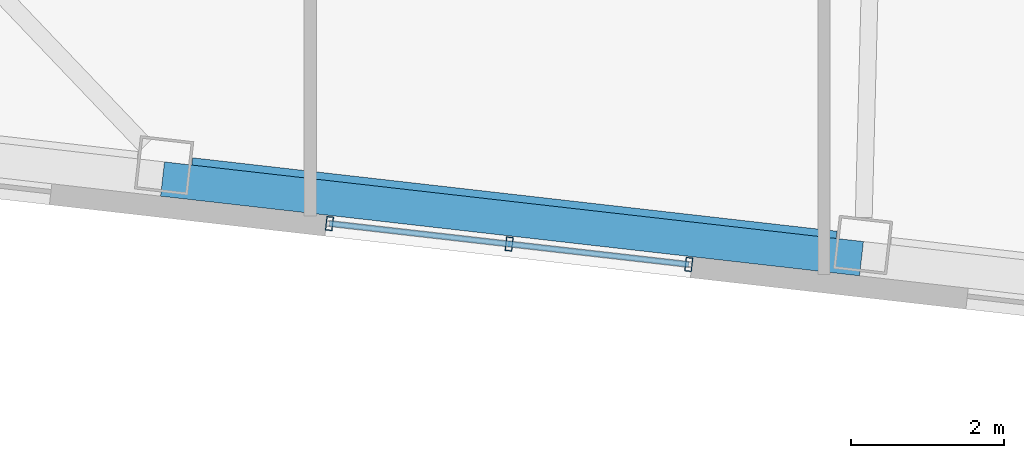
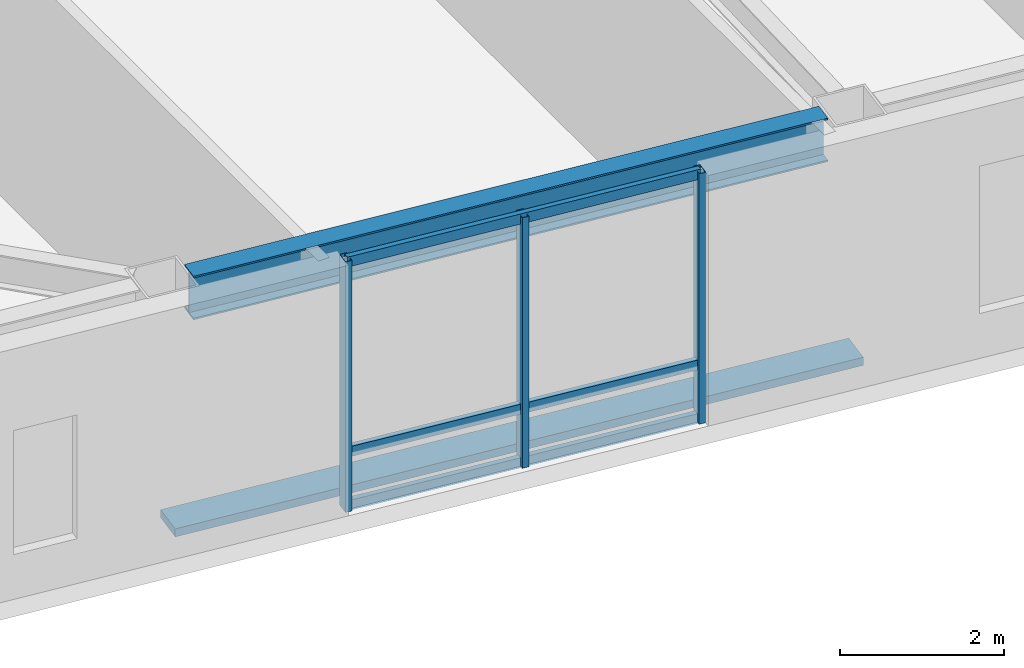
# One storey, part 2 of 21: 7 members, 1 beam, 1 element without a shape of its own.
"""IFC4 building model written with IfcOpenShell, lengths in metres."""

from ifc_helpers import new_model, si_unit, direction, frame, origin, origin_2d, place, context, subcontext, project, spatial, rectangle, hollow_rectangle, i_section, extrude, material, layer, layer_set, material_profile, profile_set, type_object, element, aggregate, save


model = new_model("IFC4")

# Units and contexts
model_context = context("Model", 3, precision=1e-05, world=origin(), true_north=direction((0.0, 1.0)))
body_context = subcontext(model_context, "Body", "Model", "MODEL_VIEW")
ifc_project = project(units=[si_unit("LENGTHUNIT", "METRE"), si_unit("AREAUNIT", "SQUARE_METRE"), si_unit("VOLUMEUNIT", "CUBIC_METRE"), si_unit("PLANEANGLEUNIT", "RADIAN"), si_unit("MASSUNIT", "GRAM", prefix="KILO")], contexts=[model_context])

# Site, building, storey
site_placement = place(None, origin())
site = spatial("IfcSite", under=ifc_project, at=site_placement, CompositionType="ELEMENT")
building_placement = place(site_placement, origin())
building = spatial("IfcBuilding", under=site, at=building_placement, Name="Tavrogorsk Clinical Tower", CompositionType="ELEMENT")
storey_placement = place(building_placement, frame((0.0, 0.0, 129.39990234375)))
storey = spatial("IfcBuildingStorey", under=building, at=storey_placement, Name="L29", CompositionType="ELEMENT", Elevation=129.39990234375)

# Member
ifc_material_1 = material(Name="Anodised aluminium alloy AW-6063", Category="aluminium")
ifc_material_profile_1 = material_profile(ifc_material_1, rectangle(XDim=0.449951171875, YDim=0.1201171875, at=origin_2d()), Name="ALU-SUNSHADE-450x120")
ifc_profile_set_1 = profile_set([ifc_material_profile_1], Name="Anodised aluminium alloy AW-6063")
member_type_1 = type_object("IfcMemberType", Name="ChicagoSunshade_450x120", PredefinedType="USERDEFINED", material=ifc_profile_set_1)
member_1_placement = place(storey_placement, frame((-14.028076171875, -24.385498046875, 0.18017578125), z_axis=(0.993572654864, -0.113196199166, 0.0), x_axis=(0.113196199166, 0.993572654864, 0.0)))
element("IfcMember", 1, at=member_1_placement, inside=storey, type_object=member_type_1, Name="L29 South Aluminium Sunshade S3", ObjectType="SUNSHADE", PredefinedType="USERDEFINED", context=body_context, shape_type="SweptSolid", body=[
    extrude(rectangle(XDim=0.449951171875, YDim=0.1201171875, at=origin_2d()), origin(), (0.0, 0.0, 1.0), 9.17724609375),
])

# Curtain wall, members
ifc_material_2 = material(Name="Anodised aluminium and triple IGU glazing", Category="aluminium")
ifc_layer = layer(ifc_material_2, 0.179931640625)
ifc_layer_set = layer_set([ifc_layer], Name="Anodised aluminium and triple IGU glazing")
curtain_wall_type = type_object("IfcCurtainWallType", Name="CW3_SouthSlot", PredefinedType="NOTDEFINED", material=ifc_layer_set)
curtain_wall_placement = place(storey_placement, origin())
curtain_wall = element("IfcCurtainWall", 2, at=curtain_wall_placement, inside=storey, type_object=curtain_wall_type, Name="L29 Curtain Wall CW-L29-S-SLOT-1", PredefinedType="NOTDEFINED")
ifc_material_3 = material(Name="Anodised aluminium alloy AW-6060", Category="aluminium")
ifc_material_profile_2 = material_profile(ifc_material_3, hollow_rectangle(XDim=0.090087890625, YDim=0.179931640625, WallThickness=0.00634765625, at=origin_2d()), Name="RHS-180x90x6.3")
ifc_profile_set_2 = profile_set([ifc_material_profile_2], Name="Anodised aluminium alloy AW-6060")
member_type_2 = type_object("IfcMemberType", Name="CwMullion_180x90", PredefinedType="MULLION", material=ifc_profile_set_2)
member_2_placement = place(storey_placement, frame((-11.850341796875, -24.9658203125, 0.0), z_axis=(0.0, 0.0, 1.0), x_axis=(0.993571855603, -0.11320321441, 0.0)))
member_2 = element("IfcMember", 3, at=member_2_placement, type_object=member_type_2, Name="CW-L29-S-SLOT-1 Mullion 1", PredefinedType="MULLION", context=body_context, shape_type="SweptSolid", body=[
    extrude(hollow_rectangle(XDim=0.090087890625, YDim=0.179931640625, WallThickness=0.00634765625, at=origin_2d()), origin(), (0.0, 0.0, 1.0), 3.739990234375),
])
member_3_placement = place(storey_placement, frame((-9.50634765625, -25.23291015625, 0.0), z_axis=(0.0, 0.0, 1.0), x_axis=(0.993571855603, -0.11320321441, 0.0)))
member_3 = element("IfcMember", 4, at=member_3_placement, type_object=member_type_2, Name="CW-L29-S-SLOT-1 Mullion 2", PredefinedType="MULLION", context=body_context, shape_type="SweptSolid", body=[
    extrude(hollow_rectangle(XDim=0.090087890625, YDim=0.179931640625, WallThickness=0.00634765625, at=origin_2d()), origin(), (0.0, 0.0, 1.0), 3.739990234375),
])
member_4_placement = place(storey_placement, frame((-7.16259765625, -25.499755859375, 0.0), z_axis=(0.0, 0.0, 1.0), x_axis=(0.993571855603, -0.11320321441, 0.0)))
member_4 = element("IfcMember", 5, at=member_4_placement, type_object=member_type_2, Name="CW-L29-S-SLOT-1 Mullion 3", PredefinedType="MULLION", context=body_context, shape_type="SweptSolid", body=[
    extrude(hollow_rectangle(XDim=0.090087890625, YDim=0.179931640625, WallThickness=0.00634765625, at=origin_2d()), origin(), (0.0, 0.0, 1.0), 3.739990234375),
])
ifc_material_4 = material(Name="Anodised aluminium alloy AW-6060", Category="aluminium")
ifc_material_profile_3 = material_profile(ifc_material_4, hollow_rectangle(XDim=0.074951171875, YDim=0.14990234375, WallThickness=0.0048828125, at=origin_2d()), Name="RHS-150x75x5")
ifc_profile_set_3 = profile_set([ifc_material_profile_3], Name="Anodised aluminium alloy AW-6060")
member_type_3 = type_object("IfcMemberType", Name="CwTransom_150x75", PredefinedType="USERDEFINED", material=ifc_profile_set_3)
member_5_placement = place(storey_placement, frame((-11.850341796875, -24.9658203125, 0.050048828125), z_axis=(0.993575798904, -0.113168599146, 0.0), x_axis=(0.113168599146, 0.993575798904, 0.0)))
member_5 = element("IfcMember", 6, at=member_5_placement, type_object=member_type_3, Name="CW-L29-S-SLOT-1 Transom 1", ObjectType="TRANSOM", PredefinedType="USERDEFINED", context=body_context, shape_type="SweptSolid", body=[
    extrude(hollow_rectangle(XDim=0.074951171875, YDim=0.14990234375, WallThickness=0.0048828125, at=origin_2d()), origin(), (0.0, 0.0, 1.0), 4.718017578125),
])
member_6_placement = place(storey_placement, frame((-11.850341796875, -24.9658203125, 0.85009765625), z_axis=(0.993575798904, -0.113168599146, 0.0), x_axis=(0.113168599146, 0.993575798904, 0.0)))
member_6 = element("IfcMember", 7, at=member_6_placement, type_object=member_type_3, Name="CW-L29-S-SLOT-1 Transom 2", ObjectType="TRANSOM", PredefinedType="USERDEFINED", context=body_context, shape_type="SweptSolid", body=[
    extrude(hollow_rectangle(XDim=0.074951171875, YDim=0.14990234375, WallThickness=0.0048828125, at=origin_2d()), origin(), (0.0, 0.0, 1.0), 4.718017578125),
])
member_7_placement = place(storey_placement, frame((-11.850341796875, -24.9658203125, 3.690185546875), z_axis=(0.993575798904, -0.113168599146, 0.0), x_axis=(0.113168599146, 0.993575798904, 0.0)))
member_7 = element("IfcMember", 8, at=member_7_placement, type_object=member_type_3, Name="CW-L29-S-SLOT-1 Transom 3", ObjectType="TRANSOM", PredefinedType="USERDEFINED", context=body_context, shape_type="SweptSolid", body=[
    extrude(hollow_rectangle(XDim=0.074951171875, YDim=0.14990234375, WallThickness=0.0048828125, at=origin_2d()), origin(), (0.0, 0.0, 1.0), 4.718017578125),
])
aggregate(curtain_wall, [member_2, member_3, member_4, member_5, member_6, member_7])

# Beam
ifc_material_5 = material(Name="Structural steel S390", Category="steel")
ifc_material_profile_4 = material_profile(ifc_material_5, i_section(OverallWidth=0.280029296875, OverallDepth=0.64990234375, WebThickness=0.01611328125, FlangeThickness=0.02490234375, at=origin_2d()), Name="B-650x280x16x25")
ifc_profile_set_4 = profile_set([ifc_material_profile_4], Name="Structural steel S390")
beam_type = type_object("IfcBeamType", Name="SpandrelBeam_B650", PredefinedType="SPANDREL", material=ifc_profile_set_4)
beam_placement = place(storey_placement, frame((-13.652099609375, -24.2470703125, 3.4150390625), z_axis=(0.993569449752, -0.113224328304, 0.0), x_axis=(0.113224328304, 0.993569449752, 0.0)))
element("IfcBeam", 9, at=beam_placement, inside=storey, type_object=beam_type, Name="L29 Perimeter Spandrel S3-S4", PredefinedType="SPANDREL", context=body_context, shape_type="SweptSolid", body=[
    extrude(i_section(OverallWidth=0.280029296875, OverallDepth=0.64990234375, WebThickness=0.01611328125, FlangeThickness=0.02490234375, at=origin_2d()), origin(), (0.0, 0.0, 1.0), 8.461181640625),
])

save(model, "model.ifc")
